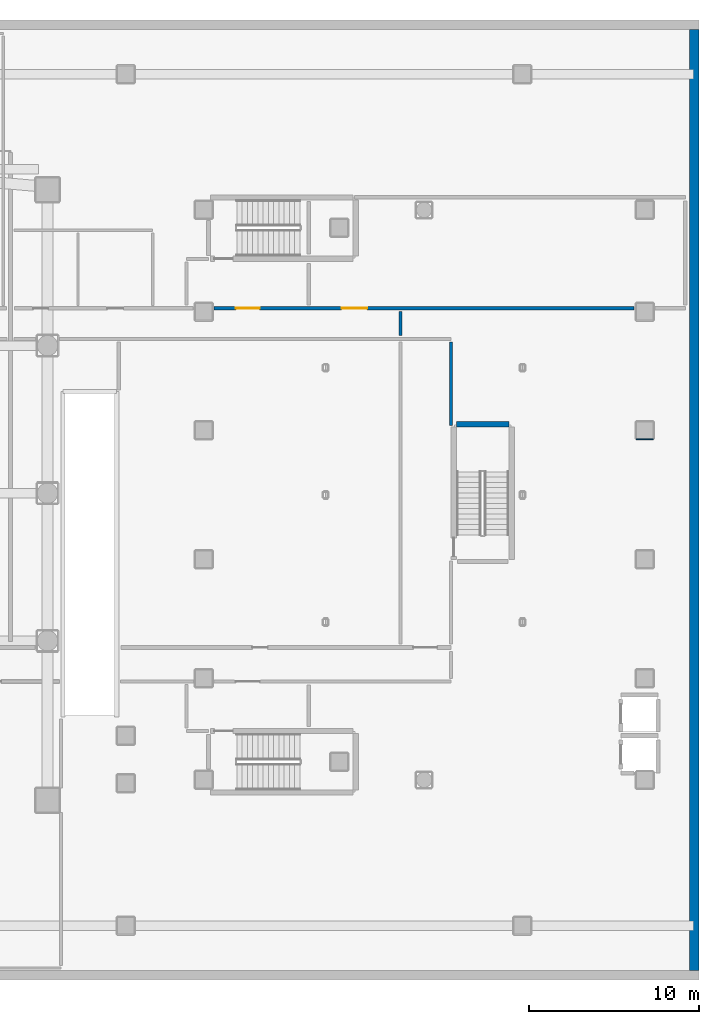
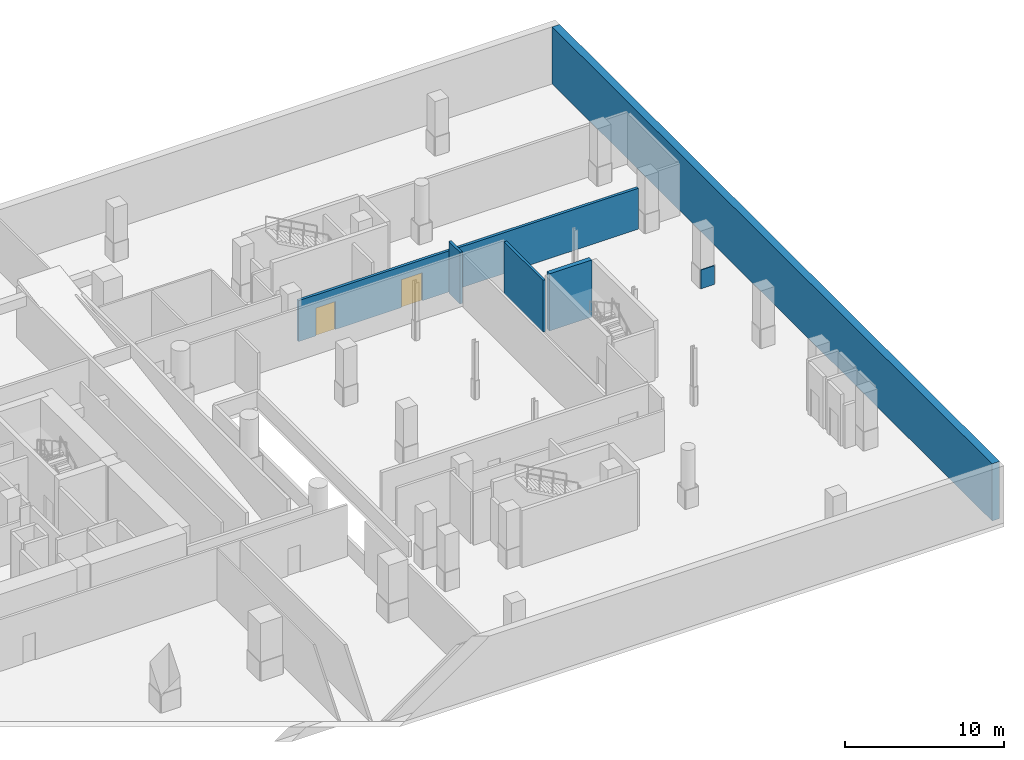
# One storey, part 16 of 22: 6 walls, 2 doors, 2 openings.
"""IFC4 building model written with IfcOpenShell, lengths in metres."""

from ifc_helpers import new_model, si_unit, direction, frame, frame_2d, origin, place, context, subcontext, project, spatial, rectangle, extrude, material, layer, layer_set, type_object, element, fill, save


model = new_model("IFC4")

# Units and contexts
model_context = context("Model", 3, precision=1e-05, world=origin(), true_north=direction((0.0, 1.0)))
body_context = subcontext(model_context, "Body", "Model", "MODEL_VIEW")
ifc_project = project(units=[si_unit("LENGTHUNIT", "METRE"), si_unit("AREAUNIT", "SQUARE_METRE"), si_unit("VOLUMEUNIT", "CUBIC_METRE"), si_unit("PLANEANGLEUNIT", "RADIAN"), si_unit("MASSUNIT", "GRAM", prefix="KILO")], contexts=[model_context])

# Site, building, storey
site_placement = place(None, origin())
site = spatial("IfcSite", under=ifc_project, at=site_placement, CompositionType="ELEMENT")
building_placement = place(site_placement, origin())
building = spatial("IfcBuilding", under=site, at=building_placement, Name="Solanera Arch Residences", CompositionType="ELEMENT")
storey_placement = place(building_placement, frame((0.0, 0.0, -4.39990234375)))
storey = spatial("IfcBuildingStorey", under=building, at=storey_placement, Name="B01", CompositionType="ELEMENT", Elevation=-4.39990234375)

# Walls
ifc_material_1 = material(Name="Fire-Rated Gypsum Stud Partition", Category="gypsum")
ifc_layer_1 = layer(ifc_material_1, 0.06005859375)
ifc_layer_set_1 = layer_set([ifc_layer_1], Name="Fire-Rated Gypsum Stud Partition")
wall_type_1 = type_object("IfcWallType", Name="Column Acoustic Furring Wall 60", PredefinedType="PARTITIONING", material=ifc_layer_set_1)
wall_1_placement = place(storey_placement, frame((81.300048828125, 33.867919921875, 0.0), z_axis=(0.0, 0.0, 1.0), x_axis=(1.0, 0.0, 0.0)))
element("IfcWall", 1, at=wall_1_placement, inside=storey, type_object=wall_type_1, Name="B01 Column Furring 52S", PredefinedType="PARTITIONING", context=body_context, shape_type="SweptSolid", body=[
    extrude(rectangle(XDim=1.0, YDim=0.06005859375, at=frame_2d((0.5, 0.0))), origin(), (0.0, 0.0, 1.0), 1.449951171875),
])
ifc_material_2 = material(Name="Concrete C40/50 (f'c = 45 MPa)", Category="concrete")
ifc_layer_2 = layer(ifc_material_2, 0.320068359375)
ifc_layer_set_2 = layer_set([ifc_layer_2], Name="Concrete C40/50 (f'c = 45 MPa)")
wall_type_2 = type_object("IfcWallType", Name="Core Shear Wall CW-320", PredefinedType="SHEAR", material=ifc_layer_set_2)
wall_2_placement = place(storey_placement, frame((70.719970703125, 34.760009765625, 0.0), z_axis=(0.0, 0.0, 1.0), x_axis=(1.0, 0.0, 0.0)))
element("IfcWall", 2, at=wall_2_placement, inside=storey, type_object=wall_type_2, Name="B01 Stair ST-B1 North Shear Wall", PredefinedType="SHEAR", context=body_context, shape_type="SweptSolid", body=[
    extrude(rectangle(XDim=3.080078125, YDim=0.320068359375, at=frame_2d((1.5400390625, 0.0))), origin(), (0.0, 0.0, 1.0), 4.39990234375),
])
ifc_material_3 = material(Name="Autoclaved Aerated Concrete Blockwork", Category="masonry")
ifc_layer_3 = layer(ifc_material_3, 0.179931640625)
ifc_layer_set_3 = layer_set([ifc_layer_3], Name="Autoclaved Aerated Concrete Blockwork")
wall_type_3 = type_object("IfcWallType", Name="Corridor Fire Partition 180", PredefinedType="PARTITIONING", material=ifc_layer_set_3)
wall_3_placement = place(storey_placement, frame((67.39990234375, 39.988037109375, 0.0), z_axis=(0.0, 0.0, 1.0), x_axis=(0.0, 1.0, 0.0)))
element("IfcWall", 3, at=wall_3_placement, inside=storey, type_object=wall_type_3, Name="B01 Interior Partition V19 2", PredefinedType="PARTITIONING", context=body_context, shape_type="SweptSolid", body=[
    extrude(rectangle(XDim=1.4140625, YDim=0.179931640625, at=frame_2d((0.70703125, 0.0))), origin(), (0.0, 0.0, 1.0), 3.97998046875),
])
wall_4_placement = place(storey_placement, frame((70.39990234375, 34.699951171875, 0.0), z_axis=(0.0, 0.0, 1.0), x_axis=(0.0, 1.0, 0.0)))
element("IfcWall", 4, at=wall_4_placement, inside=storey, type_object=wall_type_3, Name="B01 Interior Partition V20 3", PredefinedType="PARTITIONING", context=body_context, shape_type="SweptSolid", body=[
    extrude(rectangle(XDim=4.912109375, YDim=0.179931640625, at=frame_2d((2.4560546875, 0.0))), origin(), (0.0, 0.0, 1.0), 3.97998046875),
])

# Wall, openings, doors
ifc_material_4 = material(Name="Autoclaved Aerated Concrete Blockwork", Category="masonry")
ifc_layer_4 = layer(ifc_material_4, 0.199951171875)
ifc_layer_set_4 = layer_set([ifc_layer_4], Name="Autoclaved Aerated Concrete Blockwork")
wall_type_4 = type_object("IfcWallType", Name="Party Wall Acoustic 200", PredefinedType="PARTITIONING", material=ifc_layer_set_4)
wall_5_placement = place(storey_placement, frame((56.412109375, 41.60009765625, 0.0), z_axis=(0.0, 0.0, 1.0), x_axis=(1.0, 0.0, 0.0)))
wall_5 = element("IfcWall", 5, at=wall_5_placement, inside=storey, type_object=wall_type_4, Name="B01 Interior Partition H8 4", PredefinedType="PARTITIONING", context=body_context, shape_type="SweptSolid", body=[
    extrude(rectangle(XDim=24.77587890625, YDim=0.199951171875, at=frame_2d((12.387939453125, 0.0))), origin(), (0.0, 0.0, 1.0), 3.15283203125),
])
opening_1_placement = place(wall_5_placement, frame((1.2880859375, 0.0, 0.0)))
opening_1 = element("IfcOpeningElement", 6, at=opening_1_placement, cuts=wall_5, Name="Opening DF-03", PredefinedType="OPENING", context=body_context, shape_type="SweptSolid", body=[
    extrude(rectangle(XDim=1.39990234375, YDim=2.14990234375, at=frame_2d((0.699951171875, 1.074951171875))), frame((0.0, 0.110107421875, 0.0), z_axis=(0.0, -1.0, 0.0), x_axis=(1.0, 0.0, 0.0)), (0.0, 0.0, 1.0), 0.22),
])
opening_2_placement = place(wall_5_placement, frame((7.528076171875, 0.0, 0.0)))
opening_2 = element("IfcOpeningElement", 7, at=opening_2_placement, cuts=wall_5, Name="Opening DP-01", PredefinedType="OPENING", context=body_context, shape_type="SweptSolid", body=[
    extrude(rectangle(XDim=1.5, YDim=2.14990234375, at=frame_2d((0.75, 1.074951171875))), frame((0.0, 0.110107421875, 0.0), z_axis=(0.0, -1.0, 0.0), x_axis=(1.0, 0.0, 0.0)), (0.0, 0.0, 1.0), 0.22),
])
ifc_material_5 = material(Name="Fire-Rated Architectural Hardwood", Category="wood")
door_type_1 = type_object("IfcDoorType", Name="Corridor Smoke Door DF-03", OperationType="NOTDEFINED", PredefinedType="DOOR", material=ifc_material_5)
door_1_placement = place(opening_1_placement, origin())
door_1 = element("IfcDoor", 8, at=door_1_placement, inside=storey, type_object=door_type_1, Name="DR-B01-IN-020", OperationType="SINGLE_SWING_LEFT", OverallHeight=2.14990234375, OverallWidth=1.39990234375, PredefinedType="DOOR", context=body_context, shape_type="SweptSolid", body=[
    extrude(rectangle(XDim=1.39990234375, YDim=2.14990234375, at=frame_2d((0.699951171875, 1.074951171875))), frame((0.0, 0.02490234375, 0.0), z_axis=(0.0, -1.0, 0.0), x_axis=(1.0, 0.0, 0.0)), (0.0, 0.0, 1.0), 0.050048828125),
])
fill(opening_1, door_1)
ifc_material_6 = material(Name="Fire-Rated Architectural Hardwood", Category="wood")
door_type_2 = type_object("IfcDoorType", Name="Plant Double Fire Door DP-01", OperationType="NOTDEFINED", PredefinedType="DOOR", material=ifc_material_6)
door_2_placement = place(opening_2_placement, origin())
door_2 = element("IfcDoor", 9, at=door_2_placement, inside=storey, type_object=door_type_2, Name="DR-B01-IN-031", OperationType="SINGLE_SWING_RIGHT", OverallHeight=2.14990234375, OverallWidth=1.5, PredefinedType="DOOR", context=body_context, shape_type="SweptSolid", body=[
    extrude(rectangle(XDim=1.5, YDim=2.14990234375, at=frame_2d((0.75, 1.074951171875))), frame((0.0, 0.02490234375, 0.0), z_axis=(0.0, -1.0, 0.0), x_axis=(1.0, 0.0, 0.0)), (0.0, 0.0, 1.0), 0.050048828125),
])
fill(opening_2, door_2)

# Wall
ifc_material_7 = material(Name="Concrete C40/50 (f'c = 45 MPa)", Category="concrete")
ifc_layer_5 = layer(ifc_material_7, 0.550048828125)
ifc_layer_set_5 = layer_set([ifc_layer_5], Name="Concrete C40/50 (f'c = 45 MPa)")
wall_type_5 = type_object("IfcWallType", Name="Solid Exterior Wall Substructure 550", PredefinedType="SOLIDWALL", material=ifc_layer_set_5)
wall_6_placement = place(storey_placement, frame((84.72509765625, 2.550048828125, 0.0), z_axis=(0.0, 0.0, 1.0), x_axis=(0.0, 1.0, 0.0)))
element("IfcWall", 10, at=wall_6_placement, inside=storey, type_object=wall_type_5, Name="B01 East Basement Retaining Wall", PredefinedType="SOLIDWALL", context=body_context, shape_type="SweptSolid", body=[
    extrude(rectangle(XDim=55.5, YDim=0.550048828125, at=frame_2d((27.75, 0.0))), origin(), (0.0, 0.0, 1.0), 4.39990234375),
])

save(model, "model.ifc")
